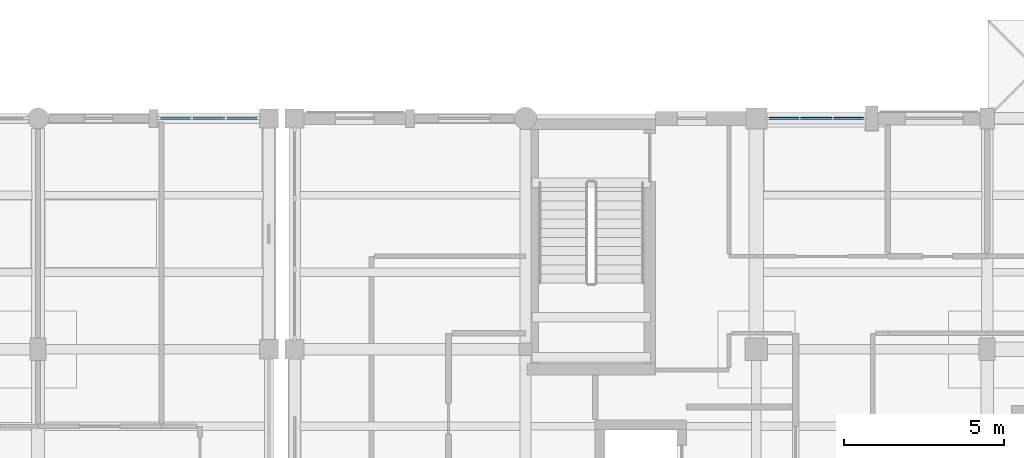
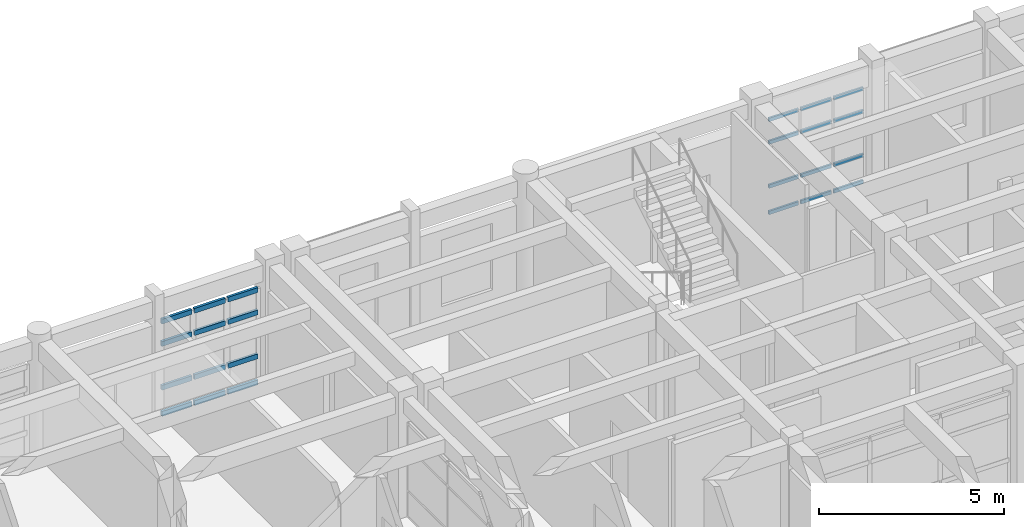
# One storey, part 55 of 110: 24 members, 2 elements without a shape of their own.
"""IFC4 building model written with IfcOpenShell, lengths in metres."""

from ifc_helpers import new_model, si_unit, direction, frame, origin, origin_2d, place, context, subcontext, project, spatial, rectangle, extrude, material, material_profile, profile_set, type_object, element, aggregate, save


model = new_model("IFC4")

# Units and contexts
model_context = context("Model", 3, precision=1e-05, world=origin(), true_north=direction((0.0, 1.0)))
body_context = subcontext(model_context, "Body", "Model", "MODEL_VIEW")
ifc_project = project(units=[si_unit("LENGTHUNIT", "METRE"), si_unit("AREAUNIT", "SQUARE_METRE"), si_unit("VOLUMEUNIT", "CUBIC_METRE"), si_unit("PLANEANGLEUNIT", "RADIAN"), si_unit("MASSUNIT", "GRAM", prefix="KILO")], contexts=[model_context])

# Site, building, storey
site_placement = place(None, origin())
site = spatial("IfcSite", under=ifc_project, at=site_placement, CompositionType="ELEMENT")
building_placement = place(site_placement, origin())
building = spatial("IfcBuilding", under=site, at=building_placement, Name="Steenspoor Specialist Clinic", CompositionType="ELEMENT")
storey_placement = place(building_placement, frame((0.0, 0.0, 4.800048828125)))
storey = spatial("IfcBuildingStorey", under=building, at=storey_placement, Name="L01", CompositionType="ELEMENT", Elevation=4.800048828125)

# Curtain wall, members
ifc_material_1 = material(Name="Thermally broken aluminium and low-emissivity glass", Category="aluminium")
curtain_wall_type_1 = type_object("IfcCurtainWallType", Name="CW-WLK-640X340", PredefinedType="USERDEFINED", material=ifc_material_1)
curtain_wall_1_placement = place(storey_placement, origin())
curtain_wall_1 = element("IfcCurtainWall", 1, at=curtain_wall_1_placement, inside=storey, type_object=curtain_wall_type_1, Name="Unitised Curtain Wall CW-V4-L01-068", ObjectType="UNITISED GLAZING", PredefinedType="USERDEFINED")
ifc_material_2 = material(Name="Thermally broken aluminium 6063-T6", Category="aluminium")
ifc_material_profile_1 = material_profile(ifc_material_2, rectangle(XDim=0.06005859375, YDim=0.114990234375, at=origin_2d()), Name="CWT-60X115")
ifc_profile_set_1 = profile_set([ifc_material_profile_1], Name="Thermally broken aluminium 6063-T6")
member_type_1 = type_object("IfcMemberType", Name="CW-TRAN-60X115", PredefinedType="USERDEFINED", material=ifc_profile_set_1)
member_1_placement = place(storey_placement, frame((67.195068359375, 108.35009765625, 0.030029296875), z_axis=(1.0, 0.0, 0.0), x_axis=(0.0, 1.0, 0.0)))
member_1 = element("IfcMember", 2, at=member_1_placement, type_object=member_type_1, Name="CW-20 transom 1.1", ObjectType="TRANSOM", PredefinedType="USERDEFINED", context=body_context, shape_type="SweptSolid", body=[
    extrude(rectangle(XDim=0.06005859375, YDim=0.114990234375, at=origin_2d()), origin(), (0.0, 0.0, 1.0), 0.92333984375),
])
member_2_placement = place(storey_placement, frame((67.195068359375, 108.35009765625, 0.89990234375), z_axis=(1.0, 0.0, 0.0), x_axis=(0.0, 1.0, 0.0)))
member_2 = element("IfcMember", 3, at=member_2_placement, type_object=member_type_1, Name="CW-20 transom 1.2", ObjectType="TRANSOM", PredefinedType="USERDEFINED", context=body_context, shape_type="SweptSolid", body=[
    extrude(rectangle(XDim=0.06005859375, YDim=0.114990234375, at=origin_2d()), origin(), (0.0, 0.0, 1.0), 0.92333984375),
])
member_3_placement = place(storey_placement, frame((67.195068359375, 108.35009765625, 2.349853515625), z_axis=(1.0, 0.0, 0.0), x_axis=(0.0, 1.0, 0.0)))
member_3 = element("IfcMember", 4, at=member_3_placement, type_object=member_type_1, Name="CW-20 transom 1.3", ObjectType="TRANSOM", PredefinedType="USERDEFINED", context=body_context, shape_type="SweptSolid", body=[
    extrude(rectangle(XDim=0.06005859375, YDim=0.114990234375, at=origin_2d()), origin(), (0.0, 0.0, 1.0), 0.92333984375),
])
member_4_placement = place(storey_placement, frame((67.195068359375, 108.35009765625, 3.099853515625), z_axis=(1.0, 0.0, 0.0), x_axis=(0.0, 1.0, 0.0)))
member_4 = element("IfcMember", 5, at=member_4_placement, type_object=member_type_1, Name="CW-20 transom 1.4", ObjectType="TRANSOM", PredefinedType="USERDEFINED", context=body_context, shape_type="SweptSolid", body=[
    extrude(rectangle(XDim=0.06005859375, YDim=0.114990234375, at=origin_2d()), origin(), (0.0, 0.0, 1.0), 0.92333984375),
])
member_5_placement = place(storey_placement, frame((68.188232421875, 108.35009765625, 0.030029296875), z_axis=(1.0, 0.0, 0.0), x_axis=(0.0, 1.0, 0.0)))
member_5 = element("IfcMember", 6, at=member_5_placement, type_object=member_type_1, Name="CW-20 transom 2.1", ObjectType="TRANSOM", PredefinedType="USERDEFINED", context=body_context, shape_type="SweptSolid", body=[
    extrude(rectangle(XDim=0.06005859375, YDim=0.114990234375, at=origin_2d()), origin(), (0.0, 0.0, 1.0), 0.95849609375),
])
member_6_placement = place(storey_placement, frame((68.188232421875, 108.35009765625, 0.89990234375), z_axis=(1.0, 0.0, 0.0), x_axis=(0.0, 1.0, 0.0)))
member_6 = element("IfcMember", 7, at=member_6_placement, type_object=member_type_1, Name="CW-20 transom 2.2", ObjectType="TRANSOM", PredefinedType="USERDEFINED", context=body_context, shape_type="SweptSolid", body=[
    extrude(rectangle(XDim=0.06005859375, YDim=0.114990234375, at=origin_2d()), origin(), (0.0, 0.0, 1.0), 0.95849609375),
])
member_7_placement = place(storey_placement, frame((68.188232421875, 108.35009765625, 2.349853515625), z_axis=(1.0, 0.0, 0.0), x_axis=(0.0, 1.0, 0.0)))
member_7 = element("IfcMember", 8, at=member_7_placement, type_object=member_type_1, Name="CW-20 transom 2.3", ObjectType="TRANSOM", PredefinedType="USERDEFINED", context=body_context, shape_type="SweptSolid", body=[
    extrude(rectangle(XDim=0.06005859375, YDim=0.114990234375, at=origin_2d()), origin(), (0.0, 0.0, 1.0), 0.95849609375),
])
member_8_placement = place(storey_placement, frame((68.188232421875, 108.35009765625, 3.099853515625), z_axis=(1.0, 0.0, 0.0), x_axis=(0.0, 1.0, 0.0)))
member_8 = element("IfcMember", 9, at=member_8_placement, type_object=member_type_1, Name="CW-20 transom 2.4", ObjectType="TRANSOM", PredefinedType="USERDEFINED", context=body_context, shape_type="SweptSolid", body=[
    extrude(rectangle(XDim=0.06005859375, YDim=0.114990234375, at=origin_2d()), origin(), (0.0, 0.0, 1.0), 0.95849609375),
])
member_9_placement = place(storey_placement, frame((69.216552734375, 108.35009765625, 0.030029296875), z_axis=(1.0, 0.0, 0.0), x_axis=(0.0, 1.0, 0.0)))
member_9 = element("IfcMember", 10, at=member_9_placement, type_object=member_type_1, Name="CW-20 transom 3.1", ObjectType="TRANSOM", PredefinedType="USERDEFINED", context=body_context, shape_type="SweptSolid", body=[
    extrude(rectangle(XDim=0.06005859375, YDim=0.114990234375, at=origin_2d()), origin(), (0.0, 0.0, 1.0), 0.92333984375),
])
member_10_placement = place(storey_placement, frame((69.216552734375, 108.35009765625, 0.89990234375), z_axis=(1.0, 0.0, 0.0), x_axis=(0.0, 1.0, 0.0)))
member_10 = element("IfcMember", 11, at=member_10_placement, type_object=member_type_1, Name="CW-20 transom 3.2", ObjectType="TRANSOM", PredefinedType="USERDEFINED", context=body_context, shape_type="SweptSolid", body=[
    extrude(rectangle(XDim=0.06005859375, YDim=0.114990234375, at=origin_2d()), origin(), (0.0, 0.0, 1.0), 0.92333984375),
])
member_11_placement = place(storey_placement, frame((69.216552734375, 108.35009765625, 2.349853515625), z_axis=(1.0, 0.0, 0.0), x_axis=(0.0, 1.0, 0.0)))
member_11 = element("IfcMember", 12, at=member_11_placement, type_object=member_type_1, Name="CW-20 transom 3.3", ObjectType="TRANSOM", PredefinedType="USERDEFINED", context=body_context, shape_type="SweptSolid", body=[
    extrude(rectangle(XDim=0.06005859375, YDim=0.114990234375, at=origin_2d()), origin(), (0.0, 0.0, 1.0), 0.92333984375),
])
member_12_placement = place(storey_placement, frame((69.216552734375, 108.35009765625, 3.099853515625), z_axis=(1.0, 0.0, 0.0), x_axis=(0.0, 1.0, 0.0)))
member_12 = element("IfcMember", 13, at=member_12_placement, type_object=member_type_1, Name="CW-20 transom 3.4", ObjectType="TRANSOM", PredefinedType="USERDEFINED", context=body_context, shape_type="SweptSolid", body=[
    extrude(rectangle(XDim=0.06005859375, YDim=0.114990234375, at=origin_2d()), origin(), (0.0, 0.0, 1.0), 0.92333984375),
])
aggregate(curtain_wall_1, [member_1, member_2, member_3, member_4, member_5, member_6, member_7, member_8, member_9, member_10, member_11, member_12])

curtain_wall_type_2 = type_object("IfcCurtainWallType", Name="CW-HALL-660X820", PredefinedType="USERDEFINED", material=ifc_material_1)
curtain_wall_2_placement = place(storey_placement, origin())
curtain_wall_2 = element("IfcCurtainWall", 14, at=curtain_wall_2_placement, inside=storey, type_object=curtain_wall_type_2, Name="Unitised Curtain Wall CW-V5-L01-145", ObjectType="UNITISED GLAZING", PredefinedType="USERDEFINED")
ifc_material_profile_2 = material_profile(ifc_material_2, rectangle(XDim=0.080078125, YDim=0.159912109375, at=origin_2d()), Name="CWT-80X160")
ifc_profile_set_2 = profile_set([ifc_material_profile_2], Name="Thermally broken aluminium 6063-T6")
member_type_2 = type_object("IfcMemberType", Name="CW-TRAN-80X160", PredefinedType="USERDEFINED", material=ifc_profile_set_2)
member_13_placement = place(storey_placement, frame((48.219970703125, 108.35009765625, 0.0400390625), z_axis=(1.0, 0.0, 0.0), x_axis=(0.0, 1.0, 0.0)))
member_13 = element("IfcMember", 15, at=member_13_placement, type_object=member_type_2, Name="CW-01 transom 1.1", ObjectType="TRANSOM", PredefinedType="USERDEFINED", context=body_context, shape_type="SweptSolid", body=[
    extrude(rectangle(XDim=0.080078125, YDim=0.159912109375, at=origin_2d()), origin(), (0.0, 0.0, 1.0), 0.933349609375),
])
member_14_placement = place(storey_placement, frame((48.219970703125, 108.35009765625, 0.89990234375), z_axis=(1.0, 0.0, 0.0), x_axis=(0.0, 1.0, 0.0)))
member_14 = element("IfcMember", 16, at=member_14_placement, type_object=member_type_2, Name="CW-01 transom 1.2", ObjectType="TRANSOM", PredefinedType="USERDEFINED", context=body_context, shape_type="SweptSolid", body=[
    extrude(rectangle(XDim=0.080078125, YDim=0.159912109375, at=origin_2d()), origin(), (0.0, 0.0, 1.0), 0.933349609375),
])
member_15_placement = place(storey_placement, frame((48.219970703125, 108.35009765625, 2.349853515625), z_axis=(1.0, 0.0, 0.0), x_axis=(0.0, 1.0, 0.0)))
member_15 = element("IfcMember", 17, at=member_15_placement, type_object=member_type_2, Name="CW-01 transom 1.3", ObjectType="TRANSOM", PredefinedType="USERDEFINED", context=body_context, shape_type="SweptSolid", body=[
    extrude(rectangle(XDim=0.080078125, YDim=0.159912109375, at=origin_2d()), origin(), (0.0, 0.0, 1.0), 0.933349609375),
])
member_16_placement = place(storey_placement, frame((48.219970703125, 108.35009765625, 3.08984375), z_axis=(1.0, 0.0, 0.0), x_axis=(0.0, 1.0, 0.0)))
member_16 = element("IfcMember", 18, at=member_16_placement, type_object=member_type_2, Name="CW-01 transom 1.4", ObjectType="TRANSOM", PredefinedType="USERDEFINED", context=body_context, shape_type="SweptSolid", body=[
    extrude(rectangle(XDim=0.080078125, YDim=0.159912109375, at=origin_2d()), origin(), (0.0, 0.0, 1.0), 0.933349609375),
])
member_17_placement = place(storey_placement, frame((49.2333984375, 108.35009765625, 0.0400390625), z_axis=(1.0, 0.0, 0.0), x_axis=(0.0, 1.0, 0.0)))
member_17 = element("IfcMember", 19, at=member_17_placement, type_object=member_type_2, Name="CW-01 transom 2.1", ObjectType="TRANSOM", PredefinedType="USERDEFINED", context=body_context, shape_type="SweptSolid", body=[
    extrude(rectangle(XDim=0.080078125, YDim=0.159912109375, at=origin_2d()), origin(), (0.0, 0.0, 1.0), 0.973388671875),
])
member_18_placement = place(storey_placement, frame((49.2333984375, 108.35009765625, 0.89990234375), z_axis=(1.0, 0.0, 0.0), x_axis=(0.0, 1.0, 0.0)))
member_18 = element("IfcMember", 20, at=member_18_placement, type_object=member_type_2, Name="CW-01 transom 2.2", ObjectType="TRANSOM", PredefinedType="USERDEFINED", context=body_context, shape_type="SweptSolid", body=[
    extrude(rectangle(XDim=0.080078125, YDim=0.159912109375, at=origin_2d()), origin(), (0.0, 0.0, 1.0), 0.973388671875),
])
member_19_placement = place(storey_placement, frame((49.2333984375, 108.35009765625, 2.349853515625), z_axis=(1.0, 0.0, 0.0), x_axis=(0.0, 1.0, 0.0)))
member_19 = element("IfcMember", 21, at=member_19_placement, type_object=member_type_2, Name="CW-01 transom 2.3", ObjectType="TRANSOM", PredefinedType="USERDEFINED", context=body_context, shape_type="SweptSolid", body=[
    extrude(rectangle(XDim=0.080078125, YDim=0.159912109375, at=origin_2d()), origin(), (0.0, 0.0, 1.0), 0.973388671875),
])
member_20_placement = place(storey_placement, frame((49.2333984375, 108.35009765625, 3.08984375), z_axis=(1.0, 0.0, 0.0), x_axis=(0.0, 1.0, 0.0)))
member_20 = element("IfcMember", 22, at=member_20_placement, type_object=member_type_2, Name="CW-01 transom 2.4", ObjectType="TRANSOM", PredefinedType="USERDEFINED", context=body_context, shape_type="SweptSolid", body=[
    extrude(rectangle(XDim=0.080078125, YDim=0.159912109375, at=origin_2d()), origin(), (0.0, 0.0, 1.0), 0.973388671875),
])
member_21_placement = place(storey_placement, frame((50.28662109375, 108.35009765625, 0.0400390625), z_axis=(1.0, 0.0, 0.0), x_axis=(0.0, 1.0, 0.0)))
member_21 = element("IfcMember", 23, at=member_21_placement, type_object=member_type_2, Name="CW-01 transom 3.1", ObjectType="TRANSOM", PredefinedType="USERDEFINED", context=body_context, shape_type="SweptSolid", body=[
    extrude(rectangle(XDim=0.080078125, YDim=0.159912109375, at=origin_2d()), origin(), (0.0, 0.0, 1.0), 0.933349609375),
])
member_22_placement = place(storey_placement, frame((50.28662109375, 108.35009765625, 0.89990234375), z_axis=(1.0, 0.0, 0.0), x_axis=(0.0, 1.0, 0.0)))
member_22 = element("IfcMember", 24, at=member_22_placement, type_object=member_type_2, Name="CW-01 transom 3.2", ObjectType="TRANSOM", PredefinedType="USERDEFINED", context=body_context, shape_type="SweptSolid", body=[
    extrude(rectangle(XDim=0.080078125, YDim=0.159912109375, at=origin_2d()), origin(), (0.0, 0.0, 1.0), 0.933349609375),
])
member_23_placement = place(storey_placement, frame((50.28662109375, 108.35009765625, 2.349853515625), z_axis=(1.0, 0.0, 0.0), x_axis=(0.0, 1.0, 0.0)))
member_23 = element("IfcMember", 25, at=member_23_placement, type_object=member_type_2, Name="CW-01 transom 3.3", ObjectType="TRANSOM", PredefinedType="USERDEFINED", context=body_context, shape_type="SweptSolid", body=[
    extrude(rectangle(XDim=0.080078125, YDim=0.159912109375, at=origin_2d()), origin(), (0.0, 0.0, 1.0), 0.933349609375),
])
member_24_placement = place(storey_placement, frame((50.28662109375, 108.35009765625, 3.08984375), z_axis=(1.0, 0.0, 0.0), x_axis=(0.0, 1.0, 0.0)))
member_24 = element("IfcMember", 26, at=member_24_placement, type_object=member_type_2, Name="CW-01 transom 3.4", ObjectType="TRANSOM", PredefinedType="USERDEFINED", context=body_context, shape_type="SweptSolid", body=[
    extrude(rectangle(XDim=0.080078125, YDim=0.159912109375, at=origin_2d()), origin(), (0.0, 0.0, 1.0), 0.933349609375),
])
aggregate(curtain_wall_2, [member_13, member_14, member_15, member_16, member_17, member_18, member_19, member_20, member_21, member_22, member_23, member_24])

save(model, "model.ifc")
